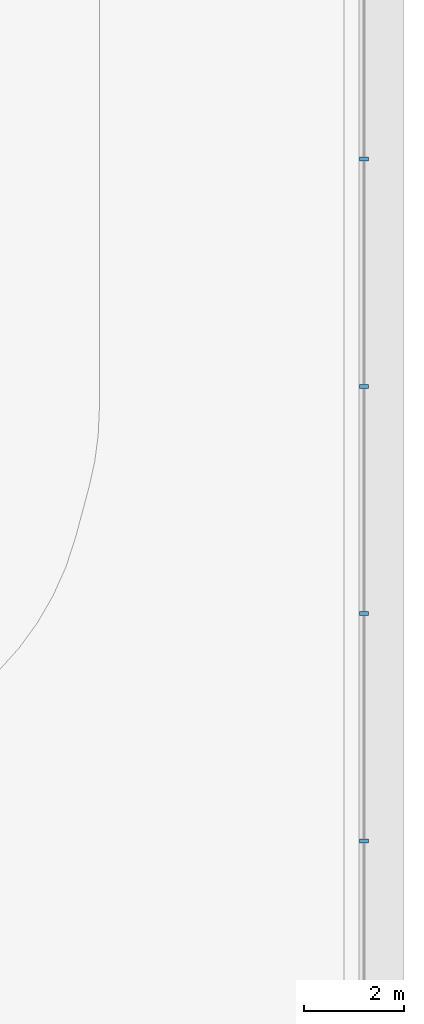
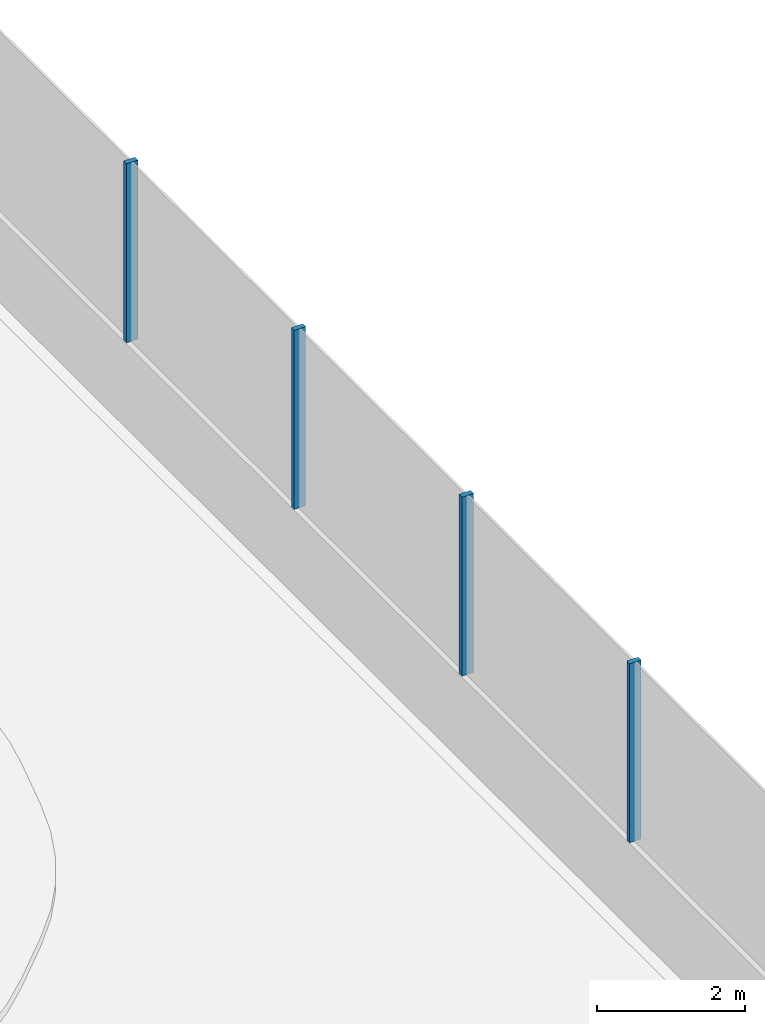
# One storey, part 10 of 37: 4 members, 1 element without a shape of its own.
"""IFC4 building model written with IfcOpenShell, lengths in metres."""

import ifcopenshell
import ifcopenshell.guid

model = None  # the IFC model being written
_history = None  # IfcOwnerHistory: only IFC2X3 demands one
_inside = {}  # id of a spatial element -> (the spatial element, [elements in it])
_under = {}  # id of a project, library or spatial element -> (it, [spatial elements below it])
_declared = {}  # id of a project -> (the project, [libraries it declares])
_typed = {}  # id of a type object -> (the type object, [elements of that type])
_made_of = {}  # id of a material, layer set ... -> (it, [elements and type objects made of it])


def new_model(schema):
    """Start an empty IFC model of exactly this schema.

    Asked for "IFC4X3", IfcOpenShell would pick the latest addendum, in which some entities
    have other attributes; the version numbers below select the first issue.
    IFC2X3 requires an IfcOwnerHistory on every rooted entity: one is made here for all.
    """
    global model, _history
    if schema == "IFC4X3":
        model = ifcopenshell.file(schema_version=(4, 3, 0, 0))
    else:
        model = ifcopenshell.file(schema=schema)
    _inside.clear()
    _under.clear()
    _declared.clear()
    _typed.clear()
    _made_of.clear()
    _history = None
    if model.schema == "IFC2X3":
        org = make("IfcOrganization", Name="unknown")
        user = make(
            "IfcPersonAndOrganization",
            ThePerson=make("IfcPerson", FamilyName="unknown"),
            TheOrganization=org,
        )
        app = make(
            "IfcApplication",
            ApplicationDeveloper=org,
            Version="unknown",
            ApplicationFullName="unknown",
            ApplicationIdentifier="unknown",
        )
        _history = make(
            "IfcOwnerHistory",
            OwningUser=user,
            OwningApplication=app,
            ChangeAction="ADDED",
            CreationDate=0,
        )
    return model


def make(cls, **values):
    """One entity of the class cls with the attributes given. An attribute that is None is left unset."""
    return model.create_entity(
        cls, **{name: value for name, value in values.items() if value is not None}
    )


def rooted(cls, **values):
    """An entity with a GlobalId (a new one), such as an element, a storey or a relation."""
    return make(cls, GlobalId=ifcopenshell.guid.new(), OwnerHistory=_history, **values)


def si_unit(unit_type, name, prefix=None):
    """IfcSIUnit, for example si_unit("LENGTHUNIT", "METRE", prefix="MILLI")."""
    return make("IfcSIUnit", UnitType=unit_type, Prefix=prefix, Name=name)


def assignment(units):
    """IfcUnitAssignment: the units of a project."""
    return None if units is None else make("IfcUnitAssignment", Units=units)


def point(xyz):
    """IfcCartesianPoint."""
    return None if xyz is None else make("IfcCartesianPoint", Coordinates=xyz)


def direction(xyz):
    """IfcDirection."""
    return None if xyz is None else make("IfcDirection", DirectionRatios=xyz)


def frame(location, z_axis=None, x_axis=None):
    """IfcAxis2Placement3D, a coordinate frame: its origin and axes. An axis left out is left unset."""
    return make(
        "IfcAxis2Placement3D",
        Location=point(location),
        Axis=direction(z_axis),
        RefDirection=direction(x_axis),
    )


def frame_2d(location, x_axis=None):
    """IfcAxis2Placement2D, a coordinate frame in the plane: its origin and x axis."""
    return make(
        "IfcAxis2Placement2D", Location=point(location), RefDirection=direction(x_axis)
    )


def origin():
    """The frame at (0, 0, 0) with its axes left unset."""
    return frame((0.0, 0.0, 0.0))


def origin_2d():
    """The frame at (0, 0) in the plane with its x axis left unset."""
    return frame_2d((0.0, 0.0))


def place(relative_to, where):
    """IfcLocalPlacement: puts the frame where relative to a parent placement (None: the world)."""
    return make(
        "IfcLocalPlacement", PlacementRelTo=relative_to, RelativePlacement=where
    )


def context(
    kind, dimensions, precision=None, world=None, true_north=None, identifier=None
):
    """IfcGeometricRepresentationContext, for example the 3D "Model" context."""
    return make(
        "IfcGeometricRepresentationContext",
        ContextIdentifier=identifier,
        ContextType=kind,
        CoordinateSpaceDimension=dimensions,
        Precision=precision,
        WorldCoordinateSystem=world,
        TrueNorth=true_north,
    )


def subcontext(parent, identifier, kind, view, scale=None):
    """IfcGeometricRepresentationSubContext, for example "Body" below "Model"."""
    return make(
        "IfcGeometricRepresentationSubContext",
        ContextIdentifier=identifier,
        ContextType=kind,
        ParentContext=parent,
        TargetScale=scale,
        TargetView=view,
    )


def project(units=None, contexts=None):
    """IfcProject with its units and contexts."""
    return rooted(
        "IfcProject",
        Name="project",
        RepresentationContexts=contexts,
        UnitsInContext=assignment(units),
    )


def spatial(cls, under=None, at=None, **own):
    """A site, building, storey or space (cls), placed at a placement, below another one or the project."""
    s = rooted(cls, ObjectPlacement=at, **own)
    if under is not None:
        _under.setdefault(under.id(), (under, []))[1].append(s)
    return s


def profile(cls, at=None, kind="AREA", **sizes):
    """A parametric profile (cls). Its sizes go by their IFC names, for example OverallWidth=200.0."""
    return make(cls, ProfileType=kind, Position=at, **sizes)


def rectangle(**sizes):
    """IfcRectangleProfileDef."""
    return profile("IfcRectangleProfileDef", **sizes)


def extrude(swept, where, along, depth):
    """IfcExtrudedAreaSolid: the profile swept, set in the frame where, extruded along a direction by depth."""
    return make(
        "IfcExtrudedAreaSolid",
        SweptArea=swept,
        Position=where,
        ExtrudedDirection=direction(along),
        Depth=depth,
    )


def shape(context_of_items, identifier, shape_type, items):
    """IfcShapeRepresentation: the items that make up one representation, for example the "Body"."""
    return make(
        "IfcShapeRepresentation",
        ContextOfItems=context_of_items,
        RepresentationIdentifier=identifier,
        RepresentationType=shape_type,
        Items=items,
    )


def material(Name=None, Category=None):
    """IfcMaterial."""
    return make("IfcMaterial", Name=Name, Category=Category)


def layer(
    of_material, thickness, ventilated=None, Name=None, Category=None, Priority=None
):
    """IfcMaterialLayer: one layer of a wall or slab, of a material (None: an air gap)."""
    return make(
        "IfcMaterialLayer",
        Material=of_material,
        LayerThickness=thickness,
        IsVentilated=ventilated,
        Name=Name,
        Category=Category,
        Priority=Priority,
    )


def layer_set(layers, Name=None):
    """IfcMaterialLayerSet."""
    return make("IfcMaterialLayerSet", MaterialLayers=layers, LayerSetName=Name)


def material_profile(
    of_material, cross_section, Name=None, Category=None, Priority=None
):
    """IfcMaterialProfile: a cross section and its material."""
    return make(
        "IfcMaterialProfile",
        Name=Name,
        Material=of_material,
        Profile=cross_section,
        Priority=Priority,
        Category=Category,
    )


def profile_set(profiles, Name=None, composite=None):
    """IfcMaterialProfileSet."""
    return make(
        "IfcMaterialProfileSet",
        Name=Name,
        MaterialProfiles=profiles,
        CompositeProfile=composite,
    )


def made_of(thing, what):
    """Note that an element or type object is made of a material, layer set ...; save() writes the relation."""
    if what is not None:
        _made_of.setdefault(what.id(), (what, []))[1].append(thing)
    return thing


def type_object(cls, material=None, **own):
    """A type object (cls), such as IfcWallType, which elements share."""
    return made_of(rooted(cls, **own), material)


def element(
    cls,
    number,
    at=None,
    inside=None,
    cuts=None,
    type_object=None,
    material=None,
    context=None,
    identifier="Body",
    shape_type=None,
    held_by="IfcProductDefinitionShape",
    body=None,
    shapes=None,
    **own,
):
    """One element of the class cls, such as IfcWall. Its Tag is "e" and its number.

    at: its placement. inside: the storey or other place that contains it. cuts: it is an
    opening in that element (IfcRelVoidsElement). A single representation is given by context,
    identifier, shape_type and body (its items); several are given by shapes. held_by: the class
    of the entity that holds the representations. save() writes the other relations.
    """
    e = rooted(cls, Tag="e%d" % number, ObjectPlacement=at, **own)
    if body is not None:
        shapes = [shape(context, identifier, shape_type, body)]
    if shapes is not None:
        e.Representation = make(held_by, Representations=shapes)
    if inside is not None:
        _inside.setdefault(inside.id(), (inside, []))[1].append(e)
    if cuts is not None:
        rooted(
            "IfcRelVoidsElement", RelatingBuildingElement=cuts, RelatedOpeningElement=e
        )
    if type_object is not None:
        _typed.setdefault(type_object.id(), (type_object, []))[1].append(e)
    return made_of(e, material)


def aggregate(whole, parts):
    """IfcRelAggregates: a whole, such as a stair, and the parts it consists of."""
    return rooted("IfcRelAggregates", RelatingObject=whole, RelatedObjects=parts)


def save(model, path):
    """Write the relations noted so far, then the file.

    IfcRelAggregates (storeys below a building ...), IfcRelContainedInSpatialStructure (elements
    in a storey), IfcRelDefinesByType, IfcRelAssociatesMaterial and IfcRelDeclares: one each for
    every whole, place, type object, material and project.
    """
    for whole, parts in _under.values():
        aggregate(whole, parts)
    for where, things in _inside.values():
        rooted(
            "IfcRelContainedInSpatialStructure",
            RelatedElements=things,
            RelatingStructure=where,
        )
    for kind, things in _typed.values():
        rooted("IfcRelDefinesByType", RelatedObjects=things, RelatingType=kind)
    for what, things in _made_of.values():
        rooted("IfcRelAssociatesMaterial", RelatedObjects=things, RelatingMaterial=what)
    for by, libraries in _declared.values():
        rooted("IfcRelDeclares", RelatingContext=by, RelatedDefinitions=libraries)
    model.write(path)


model = new_model("IFC4")

# Units and contexts
model_context = context("Model", 3, precision=1e-05, world=origin(), true_north=direction((0.0, 1.0)))
body_context = subcontext(model_context, "Body", "Model", "MODEL_VIEW")
ifc_project = project(units=[si_unit("LENGTHUNIT", "METRE"), si_unit("AREAUNIT", "SQUARE_METRE"), si_unit("VOLUMEUNIT", "CUBIC_METRE"), si_unit("PLANEANGLEUNIT", "RADIAN"), si_unit("MASSUNIT", "GRAM", prefix="KILO")], contexts=[model_context])

# Site, building, storey
site_placement = place(None, origin())
site = spatial("IfcSite", under=ifc_project, at=site_placement, CompositionType="ELEMENT")
building_placement = place(site_placement, origin())
building = spatial("IfcBuilding", under=site, at=building_placement, Name="Tamarind Cross Interchange Tower", CompositionType="ELEMENT")
storey_placement = place(building_placement, frame((0.0, 0.0, 29.5)))
storey = spatial("IfcBuildingStorey", under=building, at=storey_placement, Name="L05", CompositionType="ELEMENT", Elevation=29.5)

# Curtain wall, members
ifc_material = material(Name="Aluminium 6063-T6", Category="aluminium")
ifc_layer = layer(ifc_material, 0.179931640625)
ifc_layer_set = layer_set([ifc_layer], Name="Aluminium 6063-T6")
curtain_wall_type = type_object("IfcCurtainWallType", Name="Sky lobby curtain wall, fire-resisting glazing", PredefinedType="NOTDEFINED", material=ifc_layer_set)
curtain_wall_placement = place(storey_placement, origin())
curtain_wall = element("IfcCurtainWall", 1, at=curtain_wall_placement, inside=storey, type_object=curtain_wall_type, Name="CWS-L05-00", PredefinedType="NOTDEFINED")
ifc_material_profile = material_profile(ifc_material, rectangle(XDim=0.080078125, YDim=0.179931640625, at=origin_2d()), Name="Mullion CW4")
ifc_profile_set = profile_set([ifc_material_profile], Name="Aluminium 6063-T6")
member_type = type_object("IfcMemberType", Name="Mullion CW4", PredefinedType="MULLION", material=ifc_profile_set)
member_1_placement = place(storey_placement, frame((60.800048828125, -13.632080078125, 1.39990234375), z_axis=(0.0, 0.0, 1.0), x_axis=(0.0, 1.0, 0.0)))
member_1 = element("IfcMember", 2, at=member_1_placement, type_object=member_type, Name="CWM-L05-00-08", PredefinedType="MULLION", context=body_context, shape_type="SweptSolid", body=[
    extrude(rectangle(XDim=0.080078125, YDim=0.179931640625, at=origin_2d()), origin(), (0.0, 0.0, 1.0), 2.960205078125),
])
member_2_placement = place(storey_placement, frame((60.800048828125, -9.088134765625, 1.39990234375), z_axis=(0.0, 0.0, 1.0), x_axis=(0.0, 1.0, 0.0)))
member_2 = element("IfcMember", 3, at=member_2_placement, type_object=member_type, Name="CWM-L05-00-09", PredefinedType="MULLION", context=body_context, shape_type="SweptSolid", body=[
    extrude(rectangle(XDim=0.080078125, YDim=0.179931640625, at=origin_2d()), origin(), (0.0, 0.0, 1.0), 2.960205078125),
])
member_3_placement = place(storey_placement, frame((60.800048828125, -4.5439453125, 1.39990234375), z_axis=(0.0, 0.0, 1.0), x_axis=(0.0, 1.0, 0.0)))
member_3 = element("IfcMember", 4, at=member_3_placement, type_object=member_type, Name="CWM-L05-00-10", PredefinedType="MULLION", context=body_context, shape_type="SweptSolid", body=[
    extrude(rectangle(XDim=0.080078125, YDim=0.179931640625, at=origin_2d()), origin(), (0.0, 0.0, 1.0), 2.960205078125),
])
member_4_placement = place(storey_placement, frame((60.800048828125, 0.0, 1.39990234375), z_axis=(0.0, 0.0, 1.0), x_axis=(0.0, 1.0, 0.0)))
member_4 = element("IfcMember", 5, at=member_4_placement, type_object=member_type, Name="CWM-L05-00-11", PredefinedType="MULLION", context=body_context, shape_type="SweptSolid", body=[
    extrude(rectangle(XDim=0.080078125, YDim=0.179931640625, at=origin_2d()), origin(), (0.0, 0.0, 1.0), 2.960205078125),
])
aggregate(curtain_wall, [member_1, member_2, member_3, member_4])

save(model, "model.ifc")
